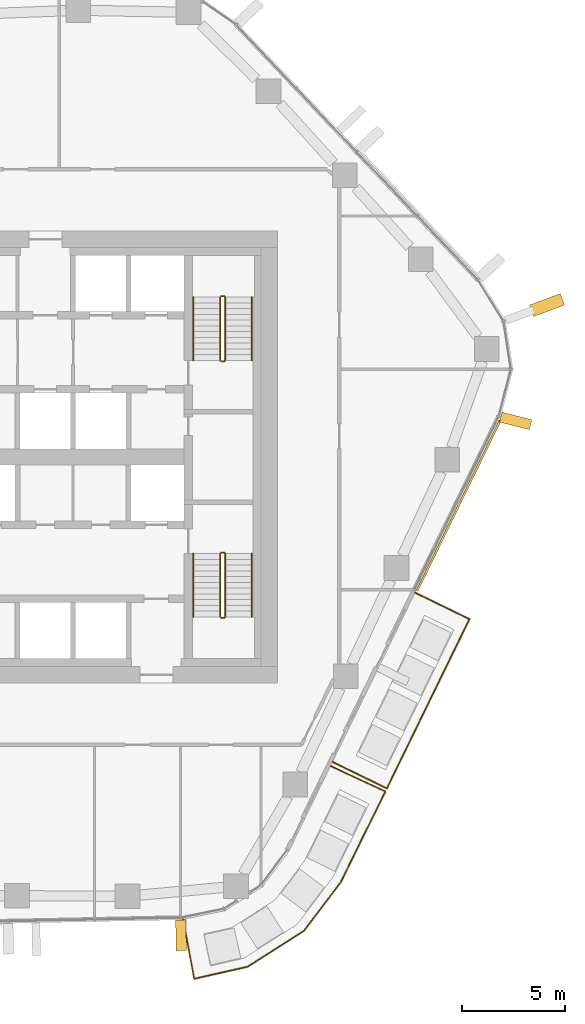
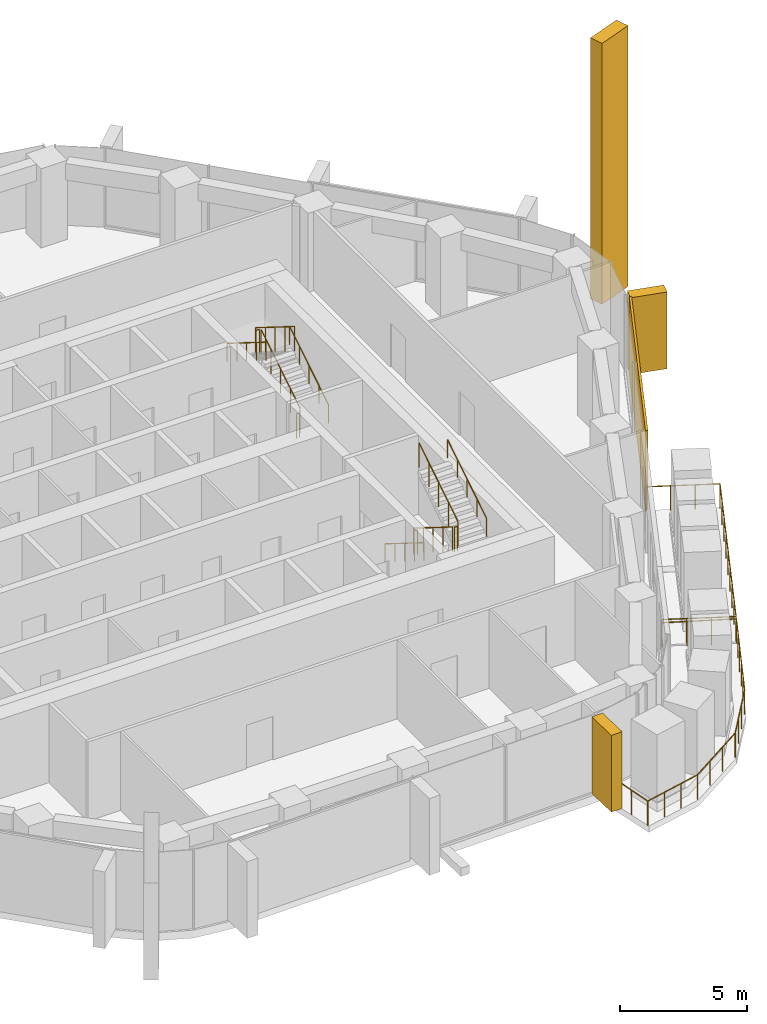
# One storey, part 17 of 18: 14 railings, 4 coverings, 3 elements without a shape of their own.
"""IFC4 building model written with IfcOpenShell, lengths in metres."""

from ifc_helpers import new_model, si_unit, direction, frame, origin, origin_2d, place, context, subcontext, project, spatial, rectangle, circle, extrude, material, layer, layer_set, material_profile, profile_set, type_object, element, aggregate, save


model = new_model("IFC4")

# Units and contexts
model_context = context("Model", 3, precision=1e-05, world=origin(), true_north=direction((0.0, 1.0)))
body_context = subcontext(model_context, "Body", "Model", "MODEL_VIEW")
ifc_project = project(units=[si_unit("LENGTHUNIT", "METRE"), si_unit("AREAUNIT", "SQUARE_METRE"), si_unit("VOLUMEUNIT", "CUBIC_METRE"), si_unit("PLANEANGLEUNIT", "RADIAN"), si_unit("MASSUNIT", "GRAM", prefix="KILO")], contexts=[model_context])

# Site, building, storey
site_placement = place(None, origin())
site = spatial("IfcSite", under=ifc_project, at=site_placement, CompositionType="ELEMENT")
building_placement = place(site_placement, origin())
building = spatial("IfcBuilding", under=site, at=building_placement, Name="Dongbaek Canopy Tower", CompositionType="ELEMENT")
storey_placement = place(building_placement, frame((0.0, 0.0, 158.60009765625)))
storey = spatial("IfcBuildingStorey", under=building, at=storey_placement, Name="L34", CompositionType="ELEMENT", Elevation=158.60009765625)

# Railings
ifc_material_1 = material(Name="Stainless steel", Category="steel")
railing_type_1 = type_object("IfcRailingType", Name="Balcony balustrade 1200", PredefinedType="BALUSTRADE", material=ifc_material_1)
railing_1_placement = place(storey_placement, frame((16.670654296875, -14.836181640625, 0.0)))
element("IfcRailing", 1, at=railing_1_placement, inside=storey, type_object=railing_type_1, Name="Balcony guard L34 2", PredefinedType="BALUSTRADE", context=body_context, shape_type="SweptSolid", body=[
    extrude(circle(Radius=0.02392578125, at=origin_2d()), frame((0.0, 0.0, 1.17578125), z_axis=(0.898671056663, -0.438623223184, 0.0), x_axis=(0.438623223184, 0.898671056663, 0.0)), (0.0, 0.0, 1.0), 2.93994140625),
    extrude(circle(Radius=0.02392578125, at=origin_2d()), frame((2.64208984375, -1.28955078125, 1.17578125), z_axis=(0.438668209755, 0.89864909823, 0.0), x_axis=(-0.89864909823, 0.438668209755, 0.0)), (0.0, 0.0, 1.0), 9.1640625),
    extrude(circle(Radius=0.02392578125, at=origin_2d()), frame((6.662109375, 6.94580078125, 1.17578125), z_axis=(-0.898671056663, 0.438623223184, 0.0), x_axis=(-0.438623223184, -0.898671056663, 0.0)), (0.0, 0.0, 1.0), 2.93994140625),
    extrude(circle(Radius=0.02099609375, at=origin_2d()), origin(), (0.0, 0.0, 1.0), 1.15185546875),
    extrude(circle(Radius=0.02099609375, at=origin_2d()), frame((0.880615234375, -0.429931640625, 0.0)), (0.0, 0.0, 1.0), 1.15185546875),
    extrude(circle(Radius=0.02099609375, at=origin_2d()), frame((1.761474609375, -0.859619140625, 0.0)), (0.0, 0.0, 1.0), 1.15185546875),
    extrude(circle(Radius=0.02099609375, at=origin_2d()), frame((2.64208984375, -1.28955078125, 0.0)), (0.0, 0.0, 1.0), 1.15185546875),
    extrude(circle(Radius=0.02099609375, at=origin_2d()), frame((3.14453125, -0.26025390625, 0.0)), (0.0, 0.0, 1.0), 1.15185546875),
    extrude(circle(Radius=0.02099609375, at=origin_2d()), frame((3.64697265625, 0.769287109375, 0.0)), (0.0, 0.0, 1.0), 1.15185546875),
    extrude(circle(Radius=0.02099609375, at=origin_2d()), frame((4.149658203125, 1.798828125, 0.0)), (0.0, 0.0, 1.0), 1.15185546875),
    extrude(circle(Radius=0.02099609375, at=origin_2d()), frame((4.652099609375, 2.828125, 0.0)), (0.0, 0.0, 1.0), 1.15185546875),
    extrude(circle(Radius=0.02099609375, at=origin_2d()), frame((5.154541015625, 3.857421875, 0.0)), (0.0, 0.0, 1.0), 1.15185546875),
    extrude(circle(Radius=0.02099609375, at=origin_2d()), frame((5.6572265625, 4.886962890625, 0.0)), (0.0, 0.0, 1.0), 1.15185546875),
    extrude(circle(Radius=0.02099609375, at=origin_2d()), frame((6.15966796875, 5.91650390625, 0.0)), (0.0, 0.0, 1.0), 1.15185546875),
    extrude(circle(Radius=0.02099609375, at=origin_2d()), frame((6.662109375, 6.94580078125, 0.0)), (0.0, 0.0, 1.0), 1.15185546875),
    extrude(circle(Radius=0.02099609375, at=origin_2d()), frame((5.781494140625, 7.375732421875, 0.0)), (0.0, 0.0, 1.0), 1.15185546875),
    extrude(circle(Radius=0.02099609375, at=origin_2d()), frame((4.900634765625, 7.805419921875, 0.0)), (0.0, 0.0, 1.0), 1.15185546875),
    extrude(circle(Radius=0.02099609375, at=origin_2d()), frame((4.02001953125, 8.2353515625, 0.0)), (0.0, 0.0, 1.0), 1.15185546875),
])
railing_2_placement = place(storey_placement, frame((9.403076171875, -22.49609375, 0.0)))
element("IfcRailing", 2, at=railing_2_placement, inside=storey, type_object=railing_type_1, Name="Balcony guard L34 4", PredefinedType="BALUSTRADE", context=body_context, shape_type="SweptSolid", body=[
    extrude(circle(Radius=0.02392578125, at=origin_2d()), frame((0.0, 0.0, 1.17578125), z_axis=(0.181821684014, -0.983331518473, 0.0), x_axis=(0.983331518473, 0.181821684014, 0.0)), (0.0, 0.0, 1.0), 2.940673828125),
    extrude(circle(Radius=0.02392578125, at=origin_2d()), frame((0.53466796875, -2.8916015625, 1.17578125), z_axis=(0.97554692989, 0.219791236364, 0.0), x_axis=(-0.219791236364, 0.97554692989, 0.0)), (0.0, 0.0, 1.0), 2.664794921875),
    extrude(circle(Radius=0.02392578125, at=origin_2d()), frame((3.13427734375, -2.305908203125, 1.17578125), z_axis=(0.842635636461, 0.538484154053, 0.0), x_axis=(-0.538484154053, 0.842635636461, 0.0)), (0.0, 0.0, 1.0), 3.24853515625),
    extrude(circle(Radius=0.02392578125, at=origin_2d()), frame((5.87158203125, -0.556640625, 1.17578125), z_axis=(0.604495759218, 0.79660835866, 0.0), x_axis=(-0.79660835866, 0.604495759218, 0.0)), (0.0, 0.0, 1.0), 2.982666015625),
    extrude(circle(Radius=0.02392578125, at=origin_2d()), frame((7.674560546875, 1.8193359375, 1.17578125), z_axis=(0.440917933883, 0.897547422469, 0.0), x_axis=(-0.897547422469, 0.440917933883, 0.0)), (0.0, 0.0, 1.0), 4.910400390625),
    extrude(circle(Radius=0.02392578125, at=origin_2d()), frame((9.839599609375, 6.2265625, 1.17578125), z_axis=(-0.907409457465, 0.420247637117, 0.0), x_axis=(-0.420247637117, -0.907409457465, 0.0)), (0.0, 0.0, 1.0), 2.940673828125),
    extrude(circle(Radius=0.02099609375, at=origin_2d()), origin(), (0.0, 0.0, 1.0), 1.15185546875),
    extrude(circle(Radius=0.02099609375, at=origin_2d()), frame((0.17822265625, -0.9638671875, 0.0)), (0.0, 0.0, 1.0), 1.15185546875),
    extrude(circle(Radius=0.02099609375, at=origin_2d()), frame((0.3564453125, -1.927734375, 0.0)), (0.0, 0.0, 1.0), 1.15185546875),
    extrude(circle(Radius=0.02099609375, at=origin_2d()), frame((0.53466796875, -2.8916015625, 0.0)), (0.0, 0.0, 1.0), 1.15185546875),
    extrude(circle(Radius=0.02099609375, at=origin_2d()), frame((1.401123046875, -2.6962890625, 0.0)), (0.0, 0.0, 1.0), 1.15185546875),
    extrude(circle(Radius=0.02099609375, at=origin_2d()), frame((2.267822265625, -2.501220703125, 0.0)), (0.0, 0.0, 1.0), 1.15185546875),
    extrude(circle(Radius=0.02099609375, at=origin_2d()), frame((3.13427734375, -2.305908203125, 0.0)), (0.0, 0.0, 1.0), 1.15185546875),
    extrude(circle(Radius=0.02099609375, at=origin_2d()), frame((4.046630859375, -1.722900390625, 0.0)), (0.0, 0.0, 1.0), 1.15185546875),
    extrude(circle(Radius=0.02099609375, at=origin_2d()), frame((4.959228515625, -1.1396484375, 0.0)), (0.0, 0.0, 1.0), 1.15185546875),
    extrude(circle(Radius=0.02099609375, at=origin_2d()), frame((5.87158203125, -0.556640625, 0.0)), (0.0, 0.0, 1.0), 1.15185546875),
    extrude(circle(Radius=0.02099609375, at=origin_2d()), frame((6.47265625, 0.2353515625, 0.0)), (0.0, 0.0, 1.0), 1.15185546875),
    extrude(circle(Radius=0.02099609375, at=origin_2d()), frame((7.073486328125, 1.02734375, 0.0)), (0.0, 0.0, 1.0), 1.15185546875),
    extrude(circle(Radius=0.02099609375, at=origin_2d()), frame((7.674560546875, 1.8193359375, 0.0)), (0.0, 0.0, 1.0), 1.15185546875),
    extrude(circle(Radius=0.02099609375, at=origin_2d()), frame((8.107666015625, 2.70068359375, 0.0)), (0.0, 0.0, 1.0), 1.15185546875),
    extrude(circle(Radius=0.02099609375, at=origin_2d()), frame((8.54052734375, 3.582275390625, 0.0)), (0.0, 0.0, 1.0), 1.15185546875),
    extrude(circle(Radius=0.02099609375, at=origin_2d()), frame((8.9736328125, 4.463623046875, 0.0)), (0.0, 0.0, 1.0), 1.15185546875),
    extrude(circle(Radius=0.02099609375, at=origin_2d()), frame((9.406494140625, 5.34521484375, 0.0)), (0.0, 0.0, 1.0), 1.15185546875),
    extrude(circle(Radius=0.02099609375, at=origin_2d()), frame((9.839599609375, 6.2265625, 0.0)), (0.0, 0.0, 1.0), 1.15185546875),
    extrude(circle(Radius=0.02099609375, at=origin_2d()), frame((8.9501953125, 6.638427734375, 0.0)), (0.0, 0.0, 1.0), 1.15185546875),
    extrude(circle(Radius=0.02099609375, at=origin_2d()), frame((8.060546875, 7.050537109375, 0.0)), (0.0, 0.0, 1.0), 1.15185546875),
    extrude(circle(Radius=0.02099609375, at=origin_2d()), frame((7.171142578125, 7.46240234375, 0.0)), (0.0, 0.0, 1.0), 1.15185546875),
])

# Curtain wall, covering
ifc_material_2 = material(Name="Aluminium 6063-T6 pale anodised", Category="aluminium")
ifc_layer_1 = layer(ifc_material_2, 0.199951171875)
ifc_layer_set_1 = layer_set([ifc_layer_1], Name="CW-1 unitised tower curtain wall")
curtain_wall_type = type_object("IfcCurtainWallType", Name="CW-1 unitised tower curtain wall", PredefinedType="NOTDEFINED", material=ifc_layer_set_1)
curtain_wall_1_placement = place(storey_placement, origin())
curtain_wall_1 = element("IfcCurtainWall", 3, at=curtain_wall_1_placement, inside=storey, type_object=curtain_wall_type, Name="CW-1 curtain wall K0.1", PredefinedType="NOTDEFINED")
ifc_material_3 = material(Name="Aluminium 6063-T6 pale metal fin", Category="aluminium")
ifc_material_profile_1 = material_profile(ifc_material_3, rectangle(XDim=1.60009765625, YDim=0.60009765625, at=origin_2d()), Name="Corner fin CN1 600 x 1600 pale metal")
ifc_profile_set_1 = profile_set([ifc_material_profile_1], Name="Aluminium 6063-T6 pale metal fin")
covering_type_1 = type_object("IfcCoveringType", Name="Corner fin CN1 600 x 1600 pale metal", PredefinedType="CLADDING", material=ifc_profile_set_1)
covering_1_placement = place(storey_placement, frame((27.106689453125, 7.39208984375, -0.190185546875), z_axis=(0.0, 0.0, 1.0), x_axis=(0.937824127945, 0.347110796497, 0.0)))
covering_1 = element("IfcCovering", 4, at=covering_1_placement, type_object=covering_type_1, Name="Corner fin L34 L36 K0", PredefinedType="CLADDING", context=body_context, shape_type="SweptSolid", body=[
    extrude(rectangle(XDim=1.60009765625, YDim=0.60009765625, at=origin_2d()), origin(), (0.0, 0.0, 1.0), 12.580078125),
])

curtain_wall_2_placement = place(storey_placement, origin())
curtain_wall_2 = element("IfcCurtainWall", 5, at=curtain_wall_2_placement, inside=storey, type_object=curtain_wall_type, Name="CW-1 curtain wall F5.1", PredefinedType="NOTDEFINED")
ifc_material_4 = material(Name="Perforated aluminium 6063-T6 pale metal screen", Category="aluminium")
ifc_layer_2 = layer(ifc_material_4, 0.10009765625)
ifc_layer_set_2 = layer_set([ifc_layer_2], Name="Facet screen FS1 100 pale metal")
covering_type_2 = type_object("IfcCoveringType", Name="Facet screen FS1 100 pale metal", PredefinedType="CLADDING", material=ifc_layer_set_2)
covering_2_placement = place(storey_placement, frame((22.810302734375, -2.36376953125, 0.0), z_axis=(0.0, 0.0, 1.0), x_axis=(0.438664468754, 0.89865092436, 0.0)))
covering_2 = element("IfcCovering", 6, at=covering_2_placement, type_object=covering_type_2, Name="Facet screen L34 F5", PredefinedType="CLADDING", context=body_context, shape_type="SweptSolid", body=[
    extrude(rectangle(XDim=9.254638671875, YDim=0.10009765625, at=origin_2d()), origin(), (0.0, 0.0, 1.0), 3.820068359375),
])
aggregate(curtain_wall_2, [covering_2])

# Covering
ifc_material_5 = material(Name="Aluminium 6063-T6 pale metal fin", Category="aluminium")
ifc_material_profile_2 = material_profile(ifc_material_5, rectangle(XDim=1.5, YDim=0.5, at=origin_2d()), Name="Fin FN1 500 x 1500 pale metal")
ifc_profile_set_2 = profile_set([ifc_material_profile_2], Name="Aluminium 6063-T6 pale metal fin")
covering_type_3 = type_object("IfcCoveringType", Name="Fin FN1 500 x 1500 pale metal", PredefinedType="CLADDING", material=ifc_profile_set_2)
covering_3_placement = place(storey_placement, frame((25.584228515625, 1.75390625, 0.119873046875), z_axis=(0.0, 0.0, 1.0), x_axis=(0.968425118829, -0.249304611313, 0.0)))
covering_3 = element("IfcCovering", 7, at=covering_3_placement, type_object=covering_type_3, Name="Fin K0.1.1", PredefinedType="CLADDING", context=body_context, shape_type="SweptSolid", body=[
    extrude(rectangle(XDim=1.5, YDim=0.5, at=origin_2d()), origin(), (0.0, 0.0, 1.0), 3.699951171875),
])

aggregate(curtain_wall_1, [covering_3, covering_1])

# Curtain wall, covering
curtain_wall_3_placement = place(storey_placement, origin())
curtain_wall_3 = element("IfcCurtainWall", 8, at=curtain_wall_3_placement, inside=storey, type_object=curtain_wall_type, Name="CW-1 curtain wall F4.1", PredefinedType="NOTDEFINED")
covering_4_placement = place(storey_placement, frame((9.3017578125, -23.268310546875, 0.119873046875), z_axis=(0.0, 0.0, 1.0), x_axis=(0.020514717954, -0.999789551029, 0.0)))
covering_4 = element("IfcCovering", 9, at=covering_4_placement, type_object=covering_type_3, Name="Fin F4.1.5", PredefinedType="CLADDING", context=body_context, shape_type="SweptSolid", body=[
    extrude(rectangle(XDim=1.5, YDim=0.5, at=origin_2d()), origin(), (0.0, 0.0, 1.0), 3.699951171875),
])
aggregate(curtain_wall_3, [covering_4])

# Railings
ifc_material_6 = material(Name="Stainless steel tube and balusters", Category="steel")
railing_type_2 = type_object("IfcRailingType", Name="Stair guard 1200", PredefinedType="GUARDRAIL", material=ifc_material_6)
railing_3_placement = place(storey_placement, frame((11.449951171875, 4.699951171875, 0.1748046875)))
element("IfcRailing", 10, at=railing_3_placement, inside=storey, type_object=railing_type_2, Name="L34 ST-A stair guard 1", PredefinedType="GUARDRAIL", context=body_context, shape_type="SweptSolid", body=[
    extrude(circle(Radius=0.02392578125, at=origin_2d()), frame((0.0, 0.0, 1.17578125), z_axis=(0.0, 0.847998304005, 0.529998940003), x_axis=(-1.0, 0.0, 0.0)), (0.0, 0.0, 1.0), 3.632080078125),
    extrude(circle(Radius=0.02099609375, at=origin_2d()), origin(), (0.0, 0.0, 1.0), 1.15185546875),
    extrude(circle(Radius=0.02099609375, at=origin_2d()), frame((0.0, 0.77001953125, 0.481201171875)), (0.0, 0.0, 1.0), 1.15185546875),
    extrude(circle(Radius=0.02099609375, at=origin_2d()), frame((0.0, 1.5400390625, 0.96240234375)), (0.0, 0.0, 1.0), 1.15185546875),
    extrude(circle(Radius=0.02099609375, at=origin_2d()), frame((0.0, 2.31005859375, 1.44384765625)), (0.0, 0.0, 1.0), 1.15185546875),
    extrude(circle(Radius=0.02099609375, at=origin_2d()), frame((0.0, 3.080078125, 1.925048828125)), (0.0, 0.0, 1.0), 1.15185546875),
])
railing_4_placement = place(storey_placement, frame((11.39990234375, 7.830078125, 2.099853515625)))
element("IfcRailing", 11, at=railing_4_placement, inside=storey, type_object=railing_type_2, Name="L34 ST-A stair guard 2", PredefinedType="GUARDRAIL", context=body_context, shape_type="SweptSolid", body=[
    extrude(circle(Radius=0.02392578125, at=origin_2d()), frame((0.0, 0.0, 1.17578125), z_axis=(-1.0, 0.0, 0.0), x_axis=(0.0, -1.0, 0.0)), (0.0, 0.0, 1.0), 0.14990234375),
    extrude(circle(Radius=0.02099609375, at=origin_2d()), origin(), (0.0, 0.0, 1.0), 1.15185546875),
    extrude(circle(Radius=0.02099609375, at=origin_2d()), frame((-0.14990234375, 0.0, 0.0)), (0.0, 0.0, 1.0), 1.15185546875),
])
railing_5_placement = place(storey_placement, frame((11.199951171875, 7.780029296875, 2.27490234375)))
element("IfcRailing", 12, at=railing_5_placement, inside=storey, type_object=railing_type_2, Name="L34 ST-A stair guard 3", PredefinedType="GUARDRAIL", context=body_context, shape_type="SweptSolid", body=[
    extrude(circle(Radius=0.02392578125, at=origin_2d()), frame((0.0, 0.0, 1.17578125), z_axis=(0.0, -0.847998304005, 0.529998940003), x_axis=(1.0, 0.0, 0.0)), (0.0, 0.0, 1.0), 3.632080078125),
    extrude(circle(Radius=0.02099609375, at=origin_2d()), origin(), (0.0, 0.0, 1.0), 1.15185546875),
    extrude(circle(Radius=0.02099609375, at=origin_2d()), frame((0.0, -0.77001953125, 0.481201171875)), (0.0, 0.0, 1.0), 1.15185546875),
    extrude(circle(Radius=0.02099609375, at=origin_2d()), frame((0.0, -1.5400390625, 0.96240234375)), (0.0, 0.0, 1.0), 1.15185546875),
    extrude(circle(Radius=0.02099609375, at=origin_2d()), frame((0.0, -2.31005859375, 1.44384765625)), (0.0, 0.0, 1.0), 1.15185546875),
    extrude(circle(Radius=0.02099609375, at=origin_2d()), frame((0.0, -3.080078125, 1.925048828125)), (0.0, 0.0, 1.0), 1.15185546875),
])
railing_6_placement = place(storey_placement, frame((11.39990234375, 4.64990234375, 0.0)))
element("IfcRailing", 13, at=railing_6_placement, inside=storey, type_object=railing_type_2, Name="L34 ST-A stair guard 4", PredefinedType="GUARDRAIL", context=body_context, shape_type="SweptSolid", body=[
    extrude(circle(Radius=0.02392578125, at=origin_2d()), frame((0.0, 0.0, 1.17578125), z_axis=(-1.0, 0.0, 0.0), x_axis=(0.0, -1.0, 0.0)), (0.0, 0.0, 1.0), 0.14990234375),
    extrude(circle(Radius=0.02099609375, at=origin_2d()), origin(), (0.0, 0.0, 1.0), 1.15185546875),
    extrude(circle(Radius=0.02099609375, at=origin_2d()), frame((-0.14990234375, 0.0, 0.0)), (0.0, 0.0, 1.0), 1.15185546875),
])
railing_7_placement = place(storey_placement, frame((11.199951171875, -4.699951171875, 0.1748046875)))
element("IfcRailing", 14, at=railing_7_placement, inside=storey, type_object=railing_type_2, Name="L34 ST-B stair guard 1", PredefinedType="GUARDRAIL", context=body_context, shape_type="SweptSolid", body=[
    extrude(circle(Radius=0.02392578125, at=origin_2d()), frame((0.0, 0.0, 1.17578125), z_axis=(0.0, -0.847998304005, 0.529998940003), x_axis=(1.0, 0.0, 0.0)), (0.0, 0.0, 1.0), 3.632080078125),
    extrude(circle(Radius=0.02099609375, at=origin_2d()), origin(), (0.0, 0.0, 1.0), 1.15185546875),
    extrude(circle(Radius=0.02099609375, at=origin_2d()), frame((0.0, -0.77001953125, 0.481201171875)), (0.0, 0.0, 1.0), 1.15185546875),
    extrude(circle(Radius=0.02099609375, at=origin_2d()), frame((0.0, -1.5400390625, 0.96240234375)), (0.0, 0.0, 1.0), 1.15185546875),
    extrude(circle(Radius=0.02099609375, at=origin_2d()), frame((0.0, -2.31005859375, 1.44384765625)), (0.0, 0.0, 1.0), 1.15185546875),
    extrude(circle(Radius=0.02099609375, at=origin_2d()), frame((0.0, -3.080078125, 1.925048828125)), (0.0, 0.0, 1.0), 1.15185546875),
])
railing_8_placement = place(storey_placement, frame((11.25, -7.830078125, 2.099853515625)))
element("IfcRailing", 15, at=railing_8_placement, inside=storey, type_object=railing_type_2, Name="L34 ST-B stair guard 2", PredefinedType="GUARDRAIL", context=body_context, shape_type="SweptSolid", body=[
    extrude(circle(Radius=0.02392578125, at=origin_2d()), frame((0.0, 0.0, 1.17578125), z_axis=(1.0, 0.0, 0.0), x_axis=(0.0, 1.0, 0.0)), (0.0, 0.0, 1.0), 0.14990234375),
    extrude(circle(Radius=0.02099609375, at=origin_2d()), origin(), (0.0, 0.0, 1.0), 1.15185546875),
    extrude(circle(Radius=0.02099609375, at=origin_2d()), frame((0.14990234375, 0.0, 0.0)), (0.0, 0.0, 1.0), 1.15185546875),
])
railing_9_placement = place(storey_placement, frame((11.449951171875, -7.780029296875, 2.27490234375)))
element("IfcRailing", 16, at=railing_9_placement, inside=storey, type_object=railing_type_2, Name="L34 ST-B stair guard 3", PredefinedType="GUARDRAIL", context=body_context, shape_type="SweptSolid", body=[
    extrude(circle(Radius=0.02392578125, at=origin_2d()), frame((0.0, 0.0, 1.17578125), z_axis=(0.0, 0.847998304005, 0.529998940003), x_axis=(-1.0, 0.0, 0.0)), (0.0, 0.0, 1.0), 3.632080078125),
    extrude(circle(Radius=0.02099609375, at=origin_2d()), origin(), (0.0, 0.0, 1.0), 1.15185546875),
    extrude(circle(Radius=0.02099609375, at=origin_2d()), frame((0.0, 0.77001953125, 0.481201171875)), (0.0, 0.0, 1.0), 1.15185546875),
    extrude(circle(Radius=0.02099609375, at=origin_2d()), frame((0.0, 1.5400390625, 0.96240234375)), (0.0, 0.0, 1.0), 1.15185546875),
    extrude(circle(Radius=0.02099609375, at=origin_2d()), frame((0.0, 2.31005859375, 1.44384765625)), (0.0, 0.0, 1.0), 1.15185546875),
    extrude(circle(Radius=0.02099609375, at=origin_2d()), frame((0.0, 3.080078125, 1.925048828125)), (0.0, 0.0, 1.0), 1.15185546875),
])
railing_10_placement = place(storey_placement, frame((11.25, -4.64990234375, 0.0)))
element("IfcRailing", 17, at=railing_10_placement, inside=storey, type_object=railing_type_2, Name="L34 ST-B stair guard 4", PredefinedType="GUARDRAIL", context=body_context, shape_type="SweptSolid", body=[
    extrude(circle(Radius=0.02392578125, at=origin_2d()), frame((0.0, 0.0, 1.17578125), z_axis=(1.0, 0.0, 0.0), x_axis=(0.0, 1.0, 0.0)), (0.0, 0.0, 1.0), 0.14990234375),
    extrude(circle(Radius=0.02099609375, at=origin_2d()), origin(), (0.0, 0.0, 1.0), 1.15185546875),
    extrude(circle(Radius=0.02099609375, at=origin_2d()), frame((0.14990234375, 0.0, 0.0)), (0.0, 0.0, 1.0), 1.15185546875),
])
ifc_material_7 = material(Name="Stainless steel tube", Category="steel")
railing_type_3 = type_object("IfcRailingType", Name="Stair handrail 900", PredefinedType="HANDRAIL", material=ifc_material_7)
railing_11_placement = place(storey_placement, frame((12.75, 4.699951171875, 0.1748046875)))
element("IfcRailing", 18, at=railing_11_placement, inside=storey, type_object=railing_type_3, Name="L34 ST-A stair handrail 1", PredefinedType="HANDRAIL", context=body_context, shape_type="SweptSolid", body=[
    extrude(circle(Radius=0.02392578125, at=origin_2d()), frame((0.0, 0.0, 0.8759765625), z_axis=(0.0, 0.847998304005, 0.529998940003), x_axis=(-1.0, 0.0, 0.0)), (0.0, 0.0, 1.0), 3.632080078125),
    extrude(circle(Radius=0.02099609375, at=origin_2d()), origin(), (0.0, 0.0, 1.0), 0.851806640625),
    extrude(circle(Radius=0.02099609375, at=origin_2d()), frame((0.0, 0.77001953125, 0.481201171875)), (0.0, 0.0, 1.0), 0.851806640625),
    extrude(circle(Radius=0.02099609375, at=origin_2d()), frame((0.0, 1.5400390625, 0.96240234375)), (0.0, 0.0, 1.0), 0.851806640625),
    extrude(circle(Radius=0.02099609375, at=origin_2d()), frame((0.0, 2.31005859375, 1.44384765625)), (0.0, 0.0, 1.0), 0.851806640625),
    extrude(circle(Radius=0.02099609375, at=origin_2d()), frame((0.0, 3.080078125, 1.925048828125)), (0.0, 0.0, 1.0), 0.851806640625),
])
for number, where, name in (
    (19, (9.89990234375, 7.780029296875, 2.27490234375), "L34 ST-A stair handrail 2"),
    (20, (9.89990234375, -4.699951171875, 0.1748046875), "L34 ST-B stair handrail 1"),
):
    element("IfcRailing", number, at=place(storey_placement, frame(where)), inside=storey, type_object=railing_type_3, Name=name, PredefinedType="HANDRAIL", context=body_context, shape_type="SweptSolid", body=[
        extrude(circle(Radius=0.02392578125, at=origin_2d()), frame((0.0, 0.0, 0.8759765625), z_axis=(0.0, -0.847998304005, 0.529998940003), x_axis=(1.0, 0.0, 0.0)), (0.0, 0.0, 1.0), 3.632080078125),
        extrude(circle(Radius=0.02099609375, at=origin_2d()), origin(), (0.0, 0.0, 1.0), 0.851806640625),
        extrude(circle(Radius=0.02099609375, at=origin_2d()), frame((0.0, -0.77001953125, 0.481201171875)), (0.0, 0.0, 1.0), 0.851806640625),
        extrude(circle(Radius=0.02099609375, at=origin_2d()), frame((0.0, -1.5400390625, 0.96240234375)), (0.0, 0.0, 1.0), 0.851806640625),
        extrude(circle(Radius=0.02099609375, at=origin_2d()), frame((0.0, -2.31005859375, 1.44384765625)), (0.0, 0.0, 1.0), 0.851806640625),
        extrude(circle(Radius=0.02099609375, at=origin_2d()), frame((0.0, -3.080078125, 1.925048828125)), (0.0, 0.0, 1.0), 0.851806640625),
    ])
railing_12_placement = place(storey_placement, frame((12.75, -7.780029296875, 2.27490234375)))
element("IfcRailing", 21, at=railing_12_placement, inside=storey, type_object=railing_type_3, Name="L34 ST-B stair handrail 2", PredefinedType="HANDRAIL", context=body_context, shape_type="SweptSolid", body=[
    extrude(circle(Radius=0.02392578125, at=origin_2d()), frame((0.0, 0.0, 0.8759765625), z_axis=(0.0, 0.847998304005, 0.529998940003), x_axis=(-1.0, 0.0, 0.0)), (0.0, 0.0, 1.0), 3.632080078125),
    extrude(circle(Radius=0.02099609375, at=origin_2d()), origin(), (0.0, 0.0, 1.0), 0.851806640625),
    extrude(circle(Radius=0.02099609375, at=origin_2d()), frame((0.0, 0.77001953125, 0.481201171875)), (0.0, 0.0, 1.0), 0.851806640625),
    extrude(circle(Radius=0.02099609375, at=origin_2d()), frame((0.0, 1.5400390625, 0.96240234375)), (0.0, 0.0, 1.0), 0.851806640625),
    extrude(circle(Radius=0.02099609375, at=origin_2d()), frame((0.0, 2.31005859375, 1.44384765625)), (0.0, 0.0, 1.0), 0.851806640625),
    extrude(circle(Radius=0.02099609375, at=origin_2d()), frame((0.0, 3.080078125, 1.925048828125)), (0.0, 0.0, 1.0), 0.851806640625),
])

save(model, "model.ifc")
